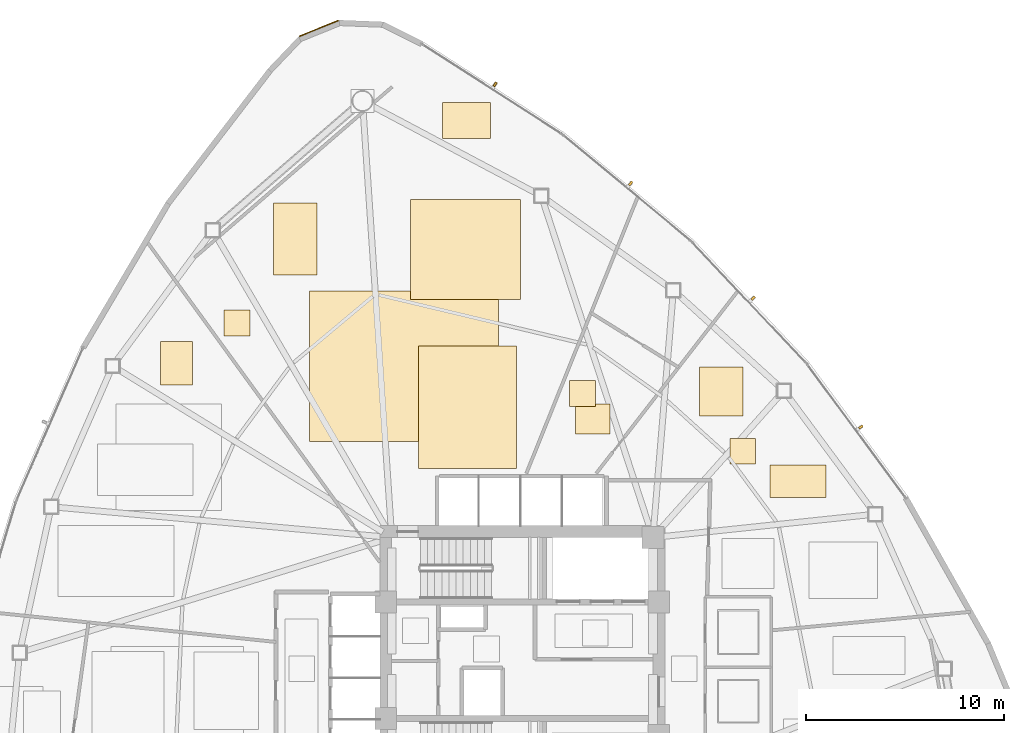
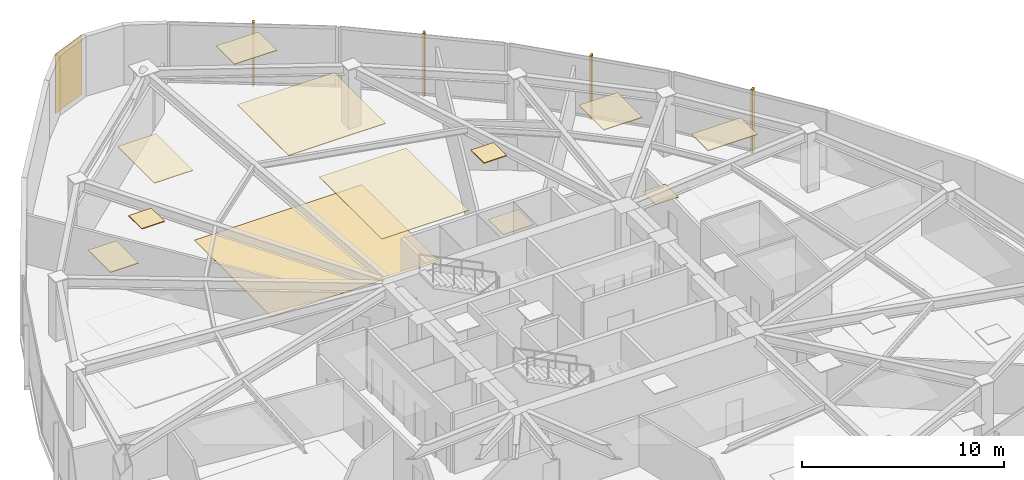
# One storey, part 17 of 17: 13 coverings, 4 shading devices.
"""IFC4 building model written with IfcOpenShell, lengths in metres."""

from ifc_helpers import new_model, si_unit, direction, frame, origin, origin_2d, place, context, subcontext, project, spatial, polyline, rectangle, outline, extrude, source, transform, mapped, material, layer, layer_set, type_object, type_shapes, element, save


model = new_model("IFC4")

# Units and contexts
model_context = context("Model", 3, precision=1e-05, world=origin(), true_north=direction((0.0, 1.0)))
body_context = subcontext(model_context, "Body", "Model", "MODEL_VIEW")
ifc_project = project(units=[si_unit("LENGTHUNIT", "METRE"), si_unit("AREAUNIT", "SQUARE_METRE"), si_unit("VOLUMEUNIT", "CUBIC_METRE"), si_unit("PLANEANGLEUNIT", "RADIAN"), si_unit("MASSUNIT", "GRAM", prefix="KILO")], contexts=[model_context])

# Site, building, storey
site_placement = place(None, origin())
site = spatial("IfcSite", under=ifc_project, at=site_placement, CompositionType="ELEMENT")
building_placement = place(site_placement, origin())
building = spatial("IfcBuilding", under=site, at=building_placement, Name="Tavelor Broadcast Tower", CompositionType="ELEMENT")
storey_placement = place(building_placement, frame((0.0, 0.0, 66.60009765625)))
storey = spatial("IfcBuildingStorey", under=building, at=storey_placement, Name="L15", CompositionType="ELEMENT", Elevation=66.60009765625)

# Coverings
ifc_material_1 = material(Name="Copper-Bronze Anodized Aluminium", Category="aluminium")
ifc_layer_1 = layer(ifc_material_1, 0.050048828125)
ifc_layer_set_1 = layer_set([ifc_layer_1], Name="Copper-Bronze Anodized Aluminium")
covering_type_1 = type_object("IfcCoveringType", Name="Champagne-Bronze Corner Pier Metal Cladding 50 mm", PredefinedType="CLADDING", material=ifc_layer_set_1)
covering_1_placement = place(storey_placement, frame((39.720458984375, 76.936279296875, 0.019775390625), z_axis=(0.0, 0.0, 1.0), x_axis=(-0.92685659564, -0.375415571225, 0.0)))
element("IfcCovering", 1, at=covering_1_placement, inside=storey, type_object=covering_type_1, Name="L15 Champagne-Bronze Corner Cladding 03", PredefinedType="CLADDING", context=body_context, shape_type="SweptSolid", body=[
    extrude(rectangle(XDim=2.128662109375, YDim=0.050048828125, at=origin_2d()), origin(), (0.0, 0.0, 1.0), 3.56005859375),
])
ifc_material_2 = material(Name="Acoustic Nylon Carpet Tile")
ifc_layer_2 = layer(ifc_material_2, 0.02001953125)
ifc_layer_set_2 = layer_set([ifc_layer_2], Name="Acoustic Nylon Carpet Tile")
covering_type_2 = type_object("IfcCoveringType", Name="Heavy-Duty Acoustic Broadcast Carpet Tile 20 mm", PredefinedType="FLOORING", material=ifc_layer_set_2)
covering_2_placement = place(storey_placement, origin())
element("IfcCovering", 2, at=covering_2_placement, inside=storey, type_object=covering_type_2, Name="L15 Broadcast Floor Finish 0213", PredefinedType="FLOORING", context=body_context, shape_type="SweptSolid", body=[
    extrude(outline(polyline([(39.24169921875, 56.05126953125), (48.7998046875, 56.05126953125), (48.7998046875, 63.656494140625), (39.24169921875, 63.656494140625), (39.24169921875, 56.05126953125)])), origin(), (0.0, 0.0, 1.0), 0.02001953125),
])
covering_3_placement = place(storey_placement, origin())
element("IfcCovering", 3, at=covering_3_placement, inside=storey, type_object=covering_type_2, Name="L15 Broadcast Floor Finish 0214", PredefinedType="FLOORING", context=body_context, shape_type="SweptSolid", body=[
    extrude(outline(polyline([(60.498291015625, 54.908203125), (61.79833984375, 54.908203125), (61.79833984375, 56.208251953125), (60.498291015625, 56.208251953125), (60.498291015625, 54.908203125)])), origin(), (0.0, 0.0, 1.0), 0.02001953125),
])
covering_4_placement = place(storey_placement, origin())
element("IfcCovering", 4, at=covering_4_placement, inside=storey, type_object=covering_type_2, Name="L15 Broadcast Floor Finish 0217", PredefinedType="FLOORING", context=body_context, shape_type="SweptSolid", body=[
    extrude(outline(polyline([(52.685302734375, 56.438720703125), (54.440185546875, 56.438720703125), (54.440185546875, 57.952880859375), (52.685302734375, 57.952880859375), (52.685302734375, 56.438720703125)])), origin(), (0.0, 0.0, 1.0), 0.02001953125),
])
ifc_material_3 = material(Name="Acoustic Mineral Fibre Tile")
ifc_layer_3 = layer(ifc_material_3, 0.0400390625)
ifc_layer_set_3 = layer_set([ifc_layer_3], Name="Acoustic Mineral Fibre Tile")
covering_type_3 = type_object("IfcCoveringType", Name="Suspended Acoustic Mineral-Fibre Office Ceiling 40 mm", PredefinedType="CEILING", material=ifc_layer_set_3)
covering_5_placement = place(storey_placement, frame((0.0, 0.0, 3.559814453125)))
element("IfcCovering", 5, at=covering_5_placement, inside=storey, type_object=covering_type_3, Name="L15 Suspended Acoustic Ceiling 0609", PredefinedType="CEILING", context=body_context, shape_type="SweptSolid", body=[
    extrude(outline(polyline([(31.717041015625, 58.9072265625), (33.325927734375, 58.9072265625), (33.325927734375, 61.120849609375), (31.717041015625, 61.120849609375), (31.717041015625, 58.9072265625)])), origin(), (0.0, 0.0, 1.0), 0.0400390625),
])
covering_6_placement = place(storey_placement, frame((0.0, 0.0, 3.559814453125)))
element("IfcCovering", 6, at=covering_6_placement, inside=storey, type_object=covering_type_3, Name="L15 Suspended Acoustic Ceiling 0612", PredefinedType="CEILING", context=body_context, shape_type="SweptSolid", body=[
    extrude(outline(polyline([(37.434326171875, 64.480224609375), (39.633056640625, 64.480224609375), (39.633056640625, 68.120361328125), (37.434326171875, 68.120361328125), (37.434326171875, 64.480224609375)])), origin(), (0.0, 0.0, 1.0), 0.0400390625),
])
covering_7_placement = place(storey_placement, frame((0.0, 0.0, 3.559814453125)))
element("IfcCovering", 7, at=covering_7_placement, inside=storey, type_object=covering_type_3, Name="L15 Suspended Acoustic Ceiling 0613", PredefinedType="CEILING", context=body_context, shape_type="SweptSolid", body=[
    extrude(outline(polyline([(44.35986328125, 63.228271484375), (49.9013671875, 63.228271484375), (49.9013671875, 68.2919921875), (44.35986328125, 68.2919921875), (44.35986328125, 63.228271484375)])), origin(), (0.0, 0.0, 1.0), 0.0400390625),
])
covering_8_placement = place(storey_placement, frame((0.0, 0.0, 3.559814453125)))
element("IfcCovering", 8, at=covering_8_placement, inside=storey, type_object=covering_type_3, Name="L15 Suspended Acoustic Ceiling 0614", PredefinedType="CEILING", context=body_context, shape_type="SweptSolid", body=[
    extrude(outline(polyline([(45.975830078125, 71.364501953125), (48.392578125, 71.364501953125), (48.392578125, 73.18798828125), (45.975830078125, 73.18798828125), (45.975830078125, 71.364501953125)])), origin(), (0.0, 0.0, 1.0), 0.0400390625),
])
covering_9_placement = place(storey_placement, frame((0.0, 0.0, 3.559814453125)))
element("IfcCovering", 9, at=covering_9_placement, inside=storey, type_object=covering_type_3, Name="L15 Suspended Acoustic Ceiling 0615", PredefinedType="CEILING", context=body_context, shape_type="SweptSolid", body=[
    extrude(outline(polyline([(44.75, 54.687744140625), (49.71240234375, 54.687744140625), (49.71240234375, 60.87109375), (44.75, 60.87109375), (44.75, 54.687744140625)])), origin(), (0.0, 0.0, 1.0), 0.0400390625),
])
covering_10_placement = place(storey_placement, frame((0.0, 0.0, 3.559814453125)))
element("IfcCovering", 10, at=covering_10_placement, inside=storey, type_object=covering_type_3, Name="L15 Suspended Acoustic Ceiling 0616", PredefinedType="CEILING", context=body_context, shape_type="SweptSolid", body=[
    extrude(outline(polyline([(34.927978515625, 61.389892578125), (36.22802734375, 61.389892578125), (36.22802734375, 62.68994140625), (34.927978515625, 62.68994140625), (34.927978515625, 61.389892578125)])), origin(), (0.0, 0.0, 1.0), 0.0400390625),
])
covering_11_placement = place(storey_placement, frame((0.0, 0.0, 3.559814453125)))
element("IfcCovering", 11, at=covering_11_placement, inside=storey, type_object=covering_type_3, Name="L15 Suspended Acoustic Ceiling 0617", PredefinedType="CEILING", context=body_context, shape_type="SweptSolid", body=[
    extrude(outline(polyline([(58.944091796875, 57.34228515625), (61.1494140625, 57.34228515625), (61.1494140625, 59.808837890625), (58.944091796875, 59.808837890625), (58.944091796875, 57.34228515625)])), origin(), (0.0, 0.0, 1.0), 0.0400390625),
])
covering_12_placement = place(storey_placement, frame((0.0, 0.0, 3.559814453125)))
element("IfcCovering", 12, at=covering_12_placement, inside=storey, type_object=covering_type_3, Name="L15 Suspended Acoustic Ceiling 0620", PredefinedType="CEILING", context=body_context, shape_type="SweptSolid", body=[
    extrude(outline(polyline([(62.515380859375, 53.22216796875), (65.340087890625, 53.22216796875), (65.340087890625, 54.876220703125), (62.515380859375, 54.876220703125), (62.515380859375, 53.22216796875)])), origin(), (0.0, 0.0, 1.0), 0.0400390625),
])
covering_13_placement = place(storey_placement, frame((0.0, 0.0, 3.559814453125)))
element("IfcCovering", 13, at=covering_13_placement, inside=storey, type_object=covering_type_3, Name="L15 Suspended Acoustic Ceiling 0632", PredefinedType="CEILING", context=body_context, shape_type="SweptSolid", body=[
    extrude(outline(polyline([(52.393798828125, 57.83203125), (53.69384765625, 57.83203125), (53.69384765625, 59.132080078125), (52.393798828125, 59.132080078125), (52.393798828125, 57.83203125)])), origin(), (0.0, 0.0, 1.0), 0.0400390625),
])

# Shading devices
ifc_material_4 = material(Name="Kiln-Fired Glazed Terracotta", Category="masonry")
shading_device_type = type_object("IfcShadingDeviceType", Name="Extruded Terracotta Baguette Sun-Screen 110x240", PredefinedType="JALOUSIE", material=ifc_material_4)
shared_shape = source(origin(), body_context, "Body", "SweptSolid", [
    extrude(rectangle(XDim=0.110107421875, YDim=0.239990234375, at=origin_2d()), origin(), (0.0, 0.0, 1.0), 3.840087890625),
])
type_shapes(shading_device_type, [shared_shape])
for number, where, z_axis, x_axis, name in (
    (14, (67.111572265625, 56.78662109375, -0.26025390625), (0.0, 0.0, 1.0), (-0.593699811383, 0.804686606055, 0.0), "L15 Terracotta Baguette Fin 141"),
    (15, (61.66796875, 63.297119140625, -0.26025390625), (0.0, 0.0, 1.0), (-0.686833846544, 0.726814465487, 0.0), "L15 Terracotta Baguette Fin 142"),
    (16, (55.4765625, 69.100830078125, -0.26025390625), (0.0, 0.0, 1.0), (-0.769733907611, 0.638364873308, 0.0), "L15 Terracotta Baguette Fin 143"),
    (17, (48.628173828125, 74.11279296875, -0.26025390625), (0.0, 0.0, 1.0), (-0.841322151234, 0.540534030235, 0.0), "L15 Terracotta Baguette Fin 144"),
):
    element("IfcShadingDevice", number, at=place(storey_placement, frame(where, z_axis=z_axis, x_axis=x_axis)), inside=storey, type_object=shading_device_type, Name=name, PredefinedType="JALOUSIE", context=body_context, shape_type="MappedRepresentation", body=[
        mapped(shared_shape, transform((0.0, 0.0, 0.0), scale=1.0)),
    ])

save(model, "model.ifc")
